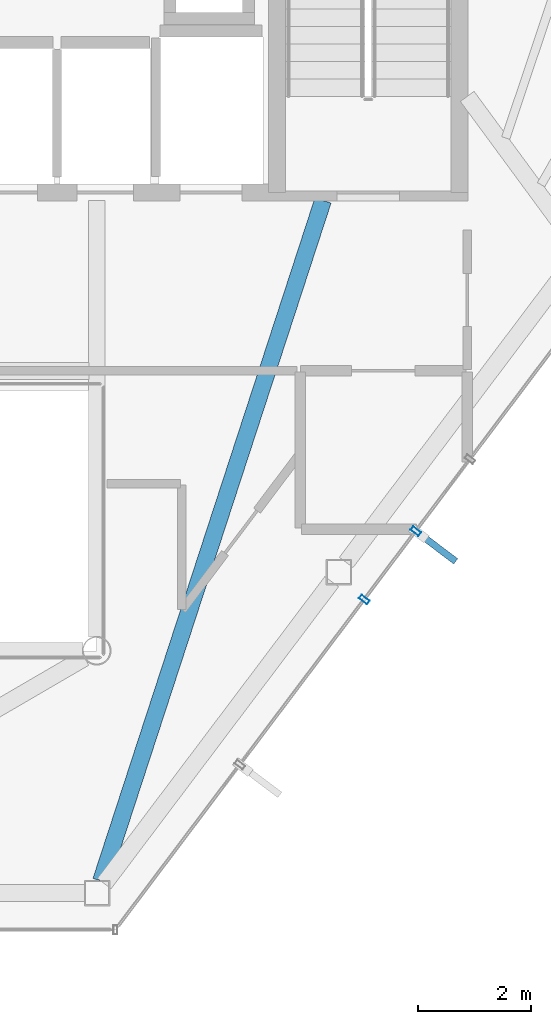
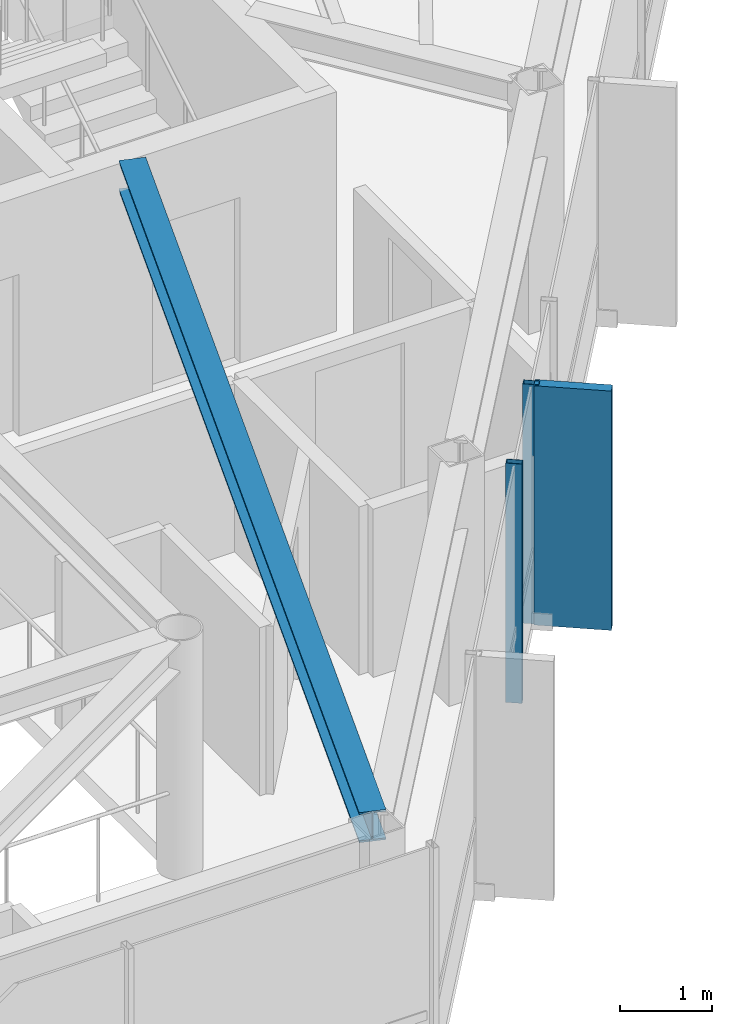
# One storey, part 8 of 22: 3 members, 1 beam, 1 element without a shape of its own.
"""IFC4 building model written with IfcOpenShell, lengths in metres."""

from ifc_helpers import new_model, si_unit, direction, frame, origin, origin_2d, place, context, subcontext, project, spatial, rectangle, hollow_rectangle, i_section, extrude, material, layer, layer_set, material_profile, profile_set, type_object, element, aggregate, save


model = new_model("IFC4")

# Units and contexts
model_context = context("Model", 3, precision=1e-05, world=origin(), true_north=direction((0.0, 1.0)))
body_context = subcontext(model_context, "Body", "Model", "MODEL_VIEW")
ifc_project = project(units=[si_unit("LENGTHUNIT", "METRE"), si_unit("AREAUNIT", "SQUARE_METRE"), si_unit("VOLUMEUNIT", "CUBIC_METRE"), si_unit("PLANEANGLEUNIT", "RADIAN"), si_unit("MASSUNIT", "GRAM", prefix="KILO")], contexts=[model_context])

# Site, building, storey
site_placement = place(None, origin())
site = spatial("IfcSite", under=ifc_project, at=site_placement, CompositionType="ELEMENT")
building_placement = place(site_placement, origin())
building = spatial("IfcBuilding", under=site, at=building_placement, Name="Zarrinselat Tower", CompositionType="ELEMENT")
storey_placement = place(building_placement, frame((0.0, 0.0, 289.0)))
storey = spatial("IfcBuildingStorey", under=building, at=storey_placement, Name="L74", CompositionType="ELEMENT", Elevation=289.0)

# Beam
ifc_material_1 = material(Name="Steel S355J2", Category="steel")
ifc_material_profile_1 = material_profile(ifc_material_1, i_section(OverallWidth=0.300048828125, OverallDepth=0.39990234375, WebThickness=0.013427734375, FlangeThickness=0.02392578125, at=origin_2d()), Name="HEB 400")
ifc_profile_set_1 = profile_set([ifc_material_profile_1], Name="Steel S355J2")
beam_type = type_object("IfcBeamType", Name="BM-HEB400", PredefinedType="BEAM", material=ifc_profile_set_1)
beam_placement = place(storey_placement, frame((41.8759765625, 21.1298828125, 2.97998046875), z_axis=(0.310108932854, 0.950701030695, 0.0), x_axis=(-0.950701030695, 0.310108932854, 0.0)))
element("IfcBeam", 1, at=beam_placement, inside=storey, type_object=beam_type, Name="L74 Radial Primary Girder RG11", PredefinedType="BEAM", context=body_context, shape_type="SweptSolid", body=[
    extrude(i_section(OverallWidth=0.300048828125, OverallDepth=0.39990234375, WebThickness=0.013427734375, FlangeThickness=0.02392578125, at=origin_2d()), origin(), (0.0, 0.0, 1.0), 12.65380859375),
])

# Curtain wall, members
ifc_material_2 = material(Name="Extruded Aluminium Alloy EN AW-6063 T6", Category="aluminium")
ifc_layer = layer(ifc_material_2, 0.199951171875)
ifc_layer_set = layer_set([ifc_layer], Name="Extruded Aluminium Alloy EN AW-6063 T6")
curtain_wall_type = type_object("IfcCurtainWallType", Name="CWS-BLADE", PredefinedType="NOTDEFINED", material=ifc_layer_set)
curtain_wall_placement = place(storey_placement, origin())
curtain_wall = element("IfcCurtainWall", 2, at=curtain_wall_placement, inside=storey, type_object=curtain_wall_type, Name="L74 Unitised Curtain Wall CW-L74-E05", PredefinedType="NOTDEFINED")
ifc_material_3 = material(Name="Extruded Aluminium Alloy EN AW-6063 T6", Category="aluminium")
ifc_material_profile_2 = material_profile(ifc_material_3, hollow_rectangle(XDim=0.080078125, YDim=0.179931640625, WallThickness=0.0048828125, at=origin_2d()), Name="RHS 180x80x5")
ifc_profile_set_2 = profile_set([ifc_material_profile_2], Name="Extruded Aluminium Alloy EN AW-6063 T6")
member_type_1 = type_object("IfcMemberType", Name="MEM-CW-MUL", PredefinedType="MULLION", material=ifc_profile_set_2)
member_1_placement = place(storey_placement, frame((46.529296875, 26.1044921875, 0.0), z_axis=(0.0, 0.0, 1.0), x_axis=(0.601672649155, 0.798742776655, 0.0)))
member_1 = element("IfcMember", 3, at=member_1_placement, type_object=member_type_1, Name="CW-L74-E05 Mullion 2", PredefinedType="MULLION", context=body_context, shape_type="SweptSolid", body=[
    extrude(hollow_rectangle(XDim=0.080078125, YDim=0.179931640625, WallThickness=0.0048828125, at=origin_2d()), origin(), (0.0, 0.0, 1.0), 3.179931640625),
])
member_2_placement = place(storey_placement, frame((47.440185546875, 27.31396484375, 0.0), z_axis=(0.0, 0.0, 1.0), x_axis=(0.601672649155, 0.798742776655, 0.0)))
member_2 = element("IfcMember", 4, at=member_2_placement, type_object=member_type_1, Name="CW-L74-E05 Mullion 3", PredefinedType="MULLION", context=body_context, shape_type="SweptSolid", body=[
    extrude(hollow_rectangle(XDim=0.080078125, YDim=0.179931640625, WallThickness=0.0048828125, at=origin_2d()), origin(), (0.0, 0.0, 1.0), 3.179931640625),
])
ifc_material_4 = material(Name="Honed Cream Travertine Stone", Category="masonry")
ifc_material_profile_3 = material_profile(ifc_material_4, rectangle(XDim=0.1201171875, YDim=0.85009765625, at=origin_2d()), Name="FIN 850x120")
ifc_profile_set_3 = profile_set([ifc_material_profile_3], Name="Honed Cream Travertine Stone")
member_type_2 = type_object("IfcMemberType", Name="MEM-STONE-FIN", PredefinedType="USERDEFINED", material=ifc_profile_set_3)
member_3_placement = place(storey_placement, frame((47.8076171875, 27.037109375, 0.0), z_axis=(0.0, 0.0, 1.0), x_axis=(-0.601672649155, -0.798742776655, 0.0)))
member_3 = element("IfcMember", 5, at=member_3_placement, type_object=member_type_2, Name="L74 Stone Shading Fin CW-L74-E05-03", ObjectType="FIN", PredefinedType="USERDEFINED", context=body_context, shape_type="SweptSolid", body=[
    extrude(rectangle(XDim=0.1201171875, YDim=0.85009765625, at=origin_2d()), origin(), (0.0, 0.0, 1.0), 3.179931640625),
])
aggregate(curtain_wall, [member_1, member_2, member_3])

save(model, "model.ifc")
